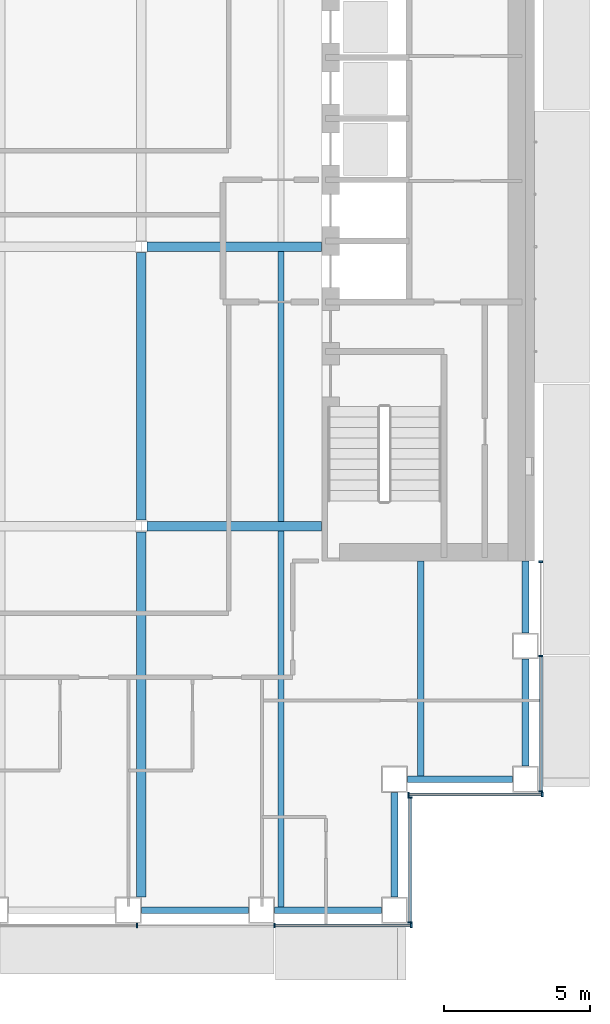
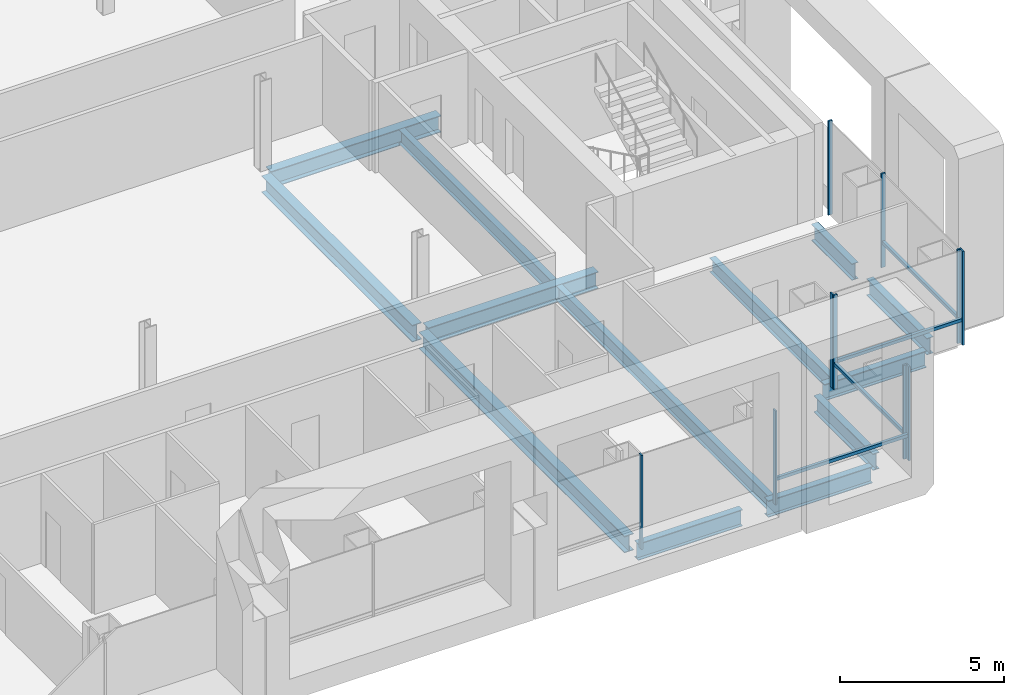
# One storey, part 4 of 19: 14 members, 13 beams, 4 elements without a shape of their own.
"""IFC4 building model written with IfcOpenShell, lengths in metres."""

from ifc_helpers import new_model, si_unit, direction, frame, origin, origin_2d, place, context, subcontext, project, spatial, rectangle, i_section, extrude, material, material_profile, profile_set, type_object, element, aggregate, save


model = new_model("IFC4")

# Units and contexts
model_context = context("Model", 3, precision=1e-05, world=origin(), true_north=direction((0.0, 1.0)))
body_context = subcontext(model_context, "Body", "Model", "MODEL_VIEW")
ifc_project = project(units=[si_unit("LENGTHUNIT", "METRE"), si_unit("AREAUNIT", "SQUARE_METRE"), si_unit("VOLUMEUNIT", "CUBIC_METRE"), si_unit("PLANEANGLEUNIT", "RADIAN"), si_unit("MASSUNIT", "GRAM", prefix="KILO")], contexts=[model_context])

# Site, building, storey
site_placement = place(None, origin())
site = spatial("IfcSite", under=ifc_project, at=site_placement, CompositionType="ELEMENT")
building_placement = place(site_placement, origin())
building = spatial("IfcBuilding", under=site, at=building_placement, Name="Cobrizo Arcos Hotel Tower", CompositionType="ELEMENT")
storey_placement = place(building_placement, frame((0.0, 0.0, 103.0)))
storey = spatial("IfcBuildingStorey", under=building, at=storey_placement, Name="L25", CompositionType="ELEMENT", Elevation=103.0)

# Curtain wall, members
ifc_material_1 = material(Name="Aluminium 6063-T6 anodised bronze", Category="aluminium")
curtain_wall_type = type_object("IfcCurtainWallType", Name="CW-A guest facade", PredefinedType="NOTDEFINED", material=ifc_material_1)
curtain_wall_1_placement = place(storey_placement, origin())
curtain_wall_1 = element("IfcCurtainWall", 1, at=curtain_wall_1_placement, inside=storey, type_object=curtain_wall_type, Name="CW-A L25 S face", PredefinedType="NOTDEFINED")
ifc_material_profile_1 = material_profile(ifc_material_1, rectangle(XDim=0.14990234375, YDim=0.06005859375, at=origin_2d()), Name="CW-A mullion 150x60")
ifc_profile_set_1 = profile_set([ifc_material_profile_1], Name="Aluminium 6063-T6 anodised bronze")
member_type_1 = type_object("IfcMemberType", Name="CW-A mullion 150x60", PredefinedType="MULLION", material=ifc_profile_set_1)
member_1_placement = place(storey_placement, frame((9.449951171875, -23.324951171875, 0.0), z_axis=(0.0, 0.0, 1.0), x_axis=(0.0, -1.0, 0.0)))
member_1 = element("IfcMember", 2, at=member_1_placement, type_object=member_type_1, Name="CW-A mullion 7", PredefinedType="MULLION", context=body_context, shape_type="SweptSolid", body=[
    extrude(rectangle(XDim=0.14990234375, YDim=0.06005859375, at=origin_2d()), origin(), (0.0, 0.0, 1.0), 3.5),
])
member_2_placement = place(storey_placement, frame((14.175048828125, -23.324951171875, 0.0), z_axis=(0.0, 0.0, 1.0), x_axis=(0.0, -1.0, 0.0)))
member_2 = element("IfcMember", 3, at=member_2_placement, type_object=member_type_1, Name="CW-A mullion 8", PredefinedType="MULLION", context=body_context, shape_type="SweptSolid", body=[
    extrude(rectangle(XDim=0.14990234375, YDim=0.06005859375, at=origin_2d()), origin(), (0.0, 0.0, 1.0), 3.5),
])
member_3_placement = place(storey_placement, frame((18.8701171875, -23.324951171875, 0.0), z_axis=(0.0, 0.0, 1.0), x_axis=(0.0, -1.0, 0.0)))
member_3 = element("IfcMember", 4, at=member_3_placement, type_object=member_type_1, Name="CW-A mullion 9", PredefinedType="MULLION", context=body_context, shape_type="SweptSolid", body=[
    extrude(rectangle(XDim=0.14990234375, YDim=0.06005859375, at=origin_2d()), origin(), (0.0, 0.0, 1.0), 3.5),
])

curtain_wall_2_placement = place(storey_placement, origin())
curtain_wall_2 = element("IfcCurtainWall", 5, at=curtain_wall_2_placement, inside=storey, type_object=curtain_wall_type, Name="CW-A L25 E face", PredefinedType="NOTDEFINED")
member_4_placement = place(storey_placement, frame((18.824951171875, -23.219970703125, 0.0), z_axis=(0.0, 0.0, 1.0), x_axis=(1.0, 0.0, 0.0)))
member_4 = element("IfcMember", 6, at=member_4_placement, type_object=member_type_1, Name="CW-A mullion 1", PredefinedType="MULLION", context=body_context, shape_type="SweptSolid", body=[
    extrude(rectangle(XDim=0.14990234375, YDim=0.06005859375, at=origin_2d()), origin(), (0.0, 0.0, 1.0), 3.5),
])
member_5_placement = place(storey_placement, frame((18.824951171875, -18.929931640625, 0.0), z_axis=(0.0, 0.0, 1.0), x_axis=(1.0, 0.0, 0.0)))
member_5 = element("IfcMember", 7, at=member_5_placement, type_object=member_type_1, Name="CW-A mullion 2", PredefinedType="MULLION", context=body_context, shape_type="SweptSolid", body=[
    extrude(rectangle(XDim=0.14990234375, YDim=0.06005859375, at=origin_2d()), origin(), (0.0, 0.0, 1.0), 3.5),
])

curtain_wall_3_placement = place(storey_placement, origin())
curtain_wall_3 = element("IfcCurtainWall", 8, at=curtain_wall_3_placement, inside=storey, type_object=curtain_wall_type, Name="CW-A L25 S face", PredefinedType="NOTDEFINED")
member_6_placement = place(storey_placement, frame((18.780029296875, -18.824951171875, 0.0), z_axis=(0.0, 0.0, 1.0), x_axis=(0.0, -1.0, 0.0)))
member_6 = element("IfcMember", 9, at=member_6_placement, type_object=member_type_1, Name="CW-A mullion 1", PredefinedType="MULLION", context=body_context, shape_type="SweptSolid", body=[
    extrude(rectangle(XDim=0.14990234375, YDim=0.06005859375, at=origin_2d()), origin(), (0.0, 0.0, 1.0), 3.5),
])
member_7_placement = place(storey_placement, frame((23.3701171875, -18.824951171875, 0.0), z_axis=(0.0, 0.0, 1.0), x_axis=(0.0, -1.0, 0.0)))
member_7 = element("IfcMember", 10, at=member_7_placement, type_object=member_type_1, Name="CW-A mullion 2", PredefinedType="MULLION", context=body_context, shape_type="SweptSolid", body=[
    extrude(rectangle(XDim=0.14990234375, YDim=0.06005859375, at=origin_2d()), origin(), (0.0, 0.0, 1.0), 3.5),
])

curtain_wall_4_placement = place(storey_placement, origin())
curtain_wall_4 = element("IfcCurtainWall", 11, at=curtain_wall_4_placement, inside=storey, type_object=curtain_wall_type, Name="CW-A L25 E face", PredefinedType="NOTDEFINED")
member_8_placement = place(storey_placement, frame((23.324951171875, -18.719970703125, 0.0), z_axis=(0.0, 0.0, 1.0), x_axis=(1.0, 0.0, 0.0)))
member_8 = element("IfcMember", 12, at=member_8_placement, type_object=member_type_1, Name="CW-A mullion 1", PredefinedType="MULLION", context=body_context, shape_type="SweptSolid", body=[
    extrude(rectangle(XDim=0.14990234375, YDim=0.06005859375, at=origin_2d()), origin(), (0.0, 0.0, 1.0), 3.5),
])
member_9_placement = place(storey_placement, frame((23.324951171875, -14.0625, 0.0), z_axis=(0.0, 0.0, 1.0), x_axis=(1.0, 0.0, 0.0)))
member_9 = element("IfcMember", 13, at=member_9_placement, type_object=member_type_1, Name="CW-A mullion 2", PredefinedType="MULLION", context=body_context, shape_type="SweptSolid", body=[
    extrude(rectangle(XDim=0.14990234375, YDim=0.06005859375, at=origin_2d()), origin(), (0.0, 0.0, 1.0), 3.5),
])
member_10_placement = place(storey_placement, frame((23.324951171875, -10.830078125, 0.0), z_axis=(0.0, 0.0, 1.0), x_axis=(1.0, 0.0, 0.0)))
member_10 = element("IfcMember", 14, at=member_10_placement, type_object=member_type_1, Name="CW-A mullion 3", PredefinedType="MULLION", context=body_context, shape_type="SweptSolid", body=[
    extrude(rectangle(XDim=0.14990234375, YDim=0.06005859375, at=origin_2d()), origin(), (0.0, 0.0, 1.0), 3.5),
])

# Member
ifc_material_profile_2 = material_profile(ifc_material_1, rectangle(XDim=0.10009765625, YDim=0.1201171875, at=origin_2d()), Name="CW-A transom 120x100")
ifc_profile_set_2 = profile_set([ifc_material_profile_2], Name="Aluminium 6063-T6 anodised bronze")
member_type_2 = type_object("IfcMemberType", Name="CW-A transom 120x100", PredefinedType="USERDEFINED", material=ifc_profile_set_2)
member_11_placement = place(storey_placement, frame((14.205078125, -23.324951171875, 0.929931640625), z_axis=(1.0, 0.0, 0.0), x_axis=(0.0, 1.0, 0.0)))
member_11 = element("IfcMember", 15, at=member_11_placement, type_object=member_type_2, Name="CW-A transom 986", ObjectType="TRANSOM", PredefinedType="USERDEFINED", context=body_context, shape_type="SweptSolid", body=[
    extrude(rectangle(XDim=0.10009765625, YDim=0.1201171875, at=origin_2d()), origin(), (0.0, 0.0, 1.0), 4.635009765625),
])

aggregate(curtain_wall_1, [member_1, member_2, member_3, member_11])

member_12_placement = place(storey_placement, frame((18.824951171875, -23.18994140625, 0.929931640625), z_axis=(0.0, 1.0, 0.0), x_axis=(-1.0, 0.0, 0.0)))
member_12 = element("IfcMember", 16, at=member_12_placement, type_object=member_type_2, Name="CW-A transom 987", ObjectType="TRANSOM", PredefinedType="USERDEFINED", context=body_context, shape_type="SweptSolid", body=[
    extrude(rectangle(XDim=0.10009765625, YDim=0.1201171875, at=origin_2d()), origin(), (0.0, 0.0, 1.0), 4.22998046875),
])

aggregate(curtain_wall_2, [member_4, member_5, member_12])

member_13_placement = place(storey_placement, frame((18.81005859375, -18.824951171875, 0.929931640625), z_axis=(1.0, 0.0, 0.0), x_axis=(0.0, 1.0, 0.0)))
member_13 = element("IfcMember", 17, at=member_13_placement, type_object=member_type_2, Name="CW-A transom 988", ObjectType="TRANSOM", PredefinedType="USERDEFINED", context=body_context, shape_type="SweptSolid", body=[
    extrude(rectangle(XDim=0.10009765625, YDim=0.1201171875, at=origin_2d()), origin(), (0.0, 0.0, 1.0), 4.530029296875),
])

aggregate(curtain_wall_3, [member_6, member_7, member_13])

member_14_placement = place(storey_placement, frame((23.324951171875, -18.68994140625, 0.929931640625), z_axis=(0.0, 1.0, 0.0), x_axis=(-1.0, 0.0, 0.0)))
member_14 = element("IfcMember", 18, at=member_14_placement, type_object=member_type_2, Name="CW-A transom 989", ObjectType="TRANSOM", PredefinedType="USERDEFINED", context=body_context, shape_type="SweptSolid", body=[
    extrude(rectangle(XDim=0.10009765625, YDim=0.1201171875, at=origin_2d()), origin(), (0.0, 0.0, 1.0), 4.597412109375),
])

aggregate(curtain_wall_4, [member_8, member_9, member_10, member_14])

# Beams
ifc_material_2 = material(Name="Steel ASTM A992 Grade 50", Category="steel")
ifc_material_profile_3 = material_profile(ifc_material_2, i_section(OverallWidth=0.209228515625, OverallDepth=0.533447265625, WebThickness=0.01025390625, FlangeThickness=0.015625, at=origin_2d()), Name="W21X62")
ifc_profile_set_3 = profile_set([ifc_material_profile_3], Name="Steel ASTM A992 Grade 50")
beam_type_1 = type_object("IfcBeamType", Name="W21X62 joist", PredefinedType="JOIST", material=ifc_profile_set_3)
beam_1_placement = place(storey_placement, frame((14.39990234375, -22.7099609375, -0.416748046875), z_axis=(0.0, 1.0, 0.0), x_axis=(-1.0, 0.0, 0.0)))
element("IfcBeam", 19, at=beam_1_placement, inside=storey, type_object=beam_type_1, Name="Floor joist J1, L25, no. 015", PredefinedType="JOIST", context=body_context, shape_type="SweptSolid", body=[
    extrude(i_section(OverallWidth=0.209228515625, OverallDepth=0.533447265625, WebThickness=0.01025390625, FlangeThickness=0.015625, at=origin_2d()), origin(), (0.0, 0.0, 1.0), 12.946044921875),
])
beam_2_placement = place(storey_placement, frame((14.39990234375, -9.43603515625, -0.416748046875), z_axis=(0.0, 1.0, 0.0), x_axis=(-1.0, 0.0, 0.0)))
element("IfcBeam", 20, at=beam_2_placement, inside=storey, type_object=beam_type_1, Name="Floor joist J1, L25, no. 016", PredefinedType="JOIST", context=body_context, shape_type="SweptSolid", body=[
    extrude(i_section(OverallWidth=0.209228515625, OverallDepth=0.533447265625, WebThickness=0.01025390625, FlangeThickness=0.015625, at=origin_2d()), origin(), (0.0, 0.0, 1.0), 9.272216796875),
])
beam_3_placement = place(storey_placement, frame((19.199951171875, -18.2099609375, -0.416748046875), z_axis=(0.0, 1.0, 0.0), x_axis=(-1.0, 0.0, 0.0)))
element("IfcBeam", 21, at=beam_3_placement, inside=storey, type_object=beam_type_1, Name="Floor joist J1, L25, no. 019", PredefinedType="JOIST", context=body_context, shape_type="SweptSolid", body=[
    extrude(i_section(OverallWidth=0.209228515625, OverallDepth=0.533447265625, WebThickness=0.01025390625, FlangeThickness=0.015625, at=origin_2d()), origin(), (0.0, 0.0, 1.0), 7.39990234375),
])
ifc_material_profile_4 = material_profile(ifc_material_2, i_section(OverallWidth=0.32763671875, OverallDepth=0.622314453125, WebThickness=0.015380859375, FlangeThickness=0.0244140625, at=origin_2d()), Name="W24X131")
ifc_profile_set_4 = profile_set([ifc_material_profile_4], Name="Steel ASTM A992 Grade 50")
beam_type_2 = type_object("IfcBeamType", Name="W24X131 girder", PredefinedType="BEAM", material=ifc_profile_set_4)
for number, where, z_axis, x_axis, name in (
    (22, (9.79931640625, -9.60009765625, -0.461181640625), (1.0, 0.0, 0.0), (0.0, 1.0, 0.0), "Floor girder G1, L25, no. 004"),
    (23, (9.79931640625, 0.0, -0.461181640625), (1.0, 0.0, 0.0), (0.0, 1.0, 0.0), "Floor girder G1, L25, no. 008"),
):
    element("IfcBeam", number, at=place(storey_placement, frame(where, z_axis=z_axis, x_axis=x_axis)), inside=storey, type_object=beam_type_2, Name=name, PredefinedType="BEAM", context=body_context, shape_type="SweptSolid", body=[
        extrude(i_section(OverallWidth=0.32763671875, OverallDepth=0.622314453125, WebThickness=0.015380859375, FlangeThickness=0.0244140625, at=origin_2d()), origin(), (0.0, 0.0, 1.0), 5.99072265625),
    ])
beam_4_placement = place(storey_placement, frame((9.60009765625, -22.35009765625, -0.461181640625), z_axis=(0.0, 1.0, 0.0), x_axis=(-1.0, 0.0, 0.0)))
element("IfcBeam", 24, at=beam_4_placement, inside=storey, type_object=beam_type_2, Name="Floor girder G1, L25, no. 021", PredefinedType="BEAM", context=body_context, shape_type="SweptSolid", body=[
    extrude(i_section(OverallWidth=0.32763671875, OverallDepth=0.622314453125, WebThickness=0.015380859375, FlangeThickness=0.0244140625, at=origin_2d()), origin(), (0.0, 0.0, 1.0), 12.55078125),
])
beam_5_placement = place(storey_placement, frame((9.60009765625, -9.400634765625, -0.461181640625), z_axis=(0.0, 1.0, 0.0), x_axis=(-1.0, 0.0, 0.0)))
element("IfcBeam", 25, at=beam_5_placement, inside=storey, type_object=beam_type_2, Name="Floor girder G1, L25, no. 022", PredefinedType="BEAM", context=body_context, shape_type="SweptSolid", body=[
    extrude(i_section(OverallWidth=0.32763671875, OverallDepth=0.622314453125, WebThickness=0.015380859375, FlangeThickness=0.0244140625, at=origin_2d()), origin(), (0.0, 0.0, 1.0), 9.201171875),
])
ifc_material_profile_5 = material_profile(ifc_material_2, i_section(OverallWidth=0.23046875, OverallDepth=0.6171875, WebThickness=0.01318359375, FlangeThickness=0.022216796875, at=origin_2d()), Name="W24X94")
ifc_profile_set_5 = profile_set([ifc_material_profile_5], Name="Steel ASTM A992 Grade 50")
beam_type_3 = type_object("IfcBeamType", Name="W24X94 spandrel", PredefinedType="SPANDREL", material=ifc_profile_set_5)
beam_6_placement = place(storey_placement, frame((9.60009765625, -22.800048828125, -0.45849609375), z_axis=(1.0, 0.0, 0.0), x_axis=(0.0, 1.0, 0.0)))
element("IfcBeam", 26, at=beam_6_placement, inside=storey, type_object=beam_type_3, Name="Spandrel beam W24X94, L25, no. 007", PredefinedType="SPANDREL", context=body_context, shape_type="SweptSolid", body=[
    extrude(i_section(OverallWidth=0.23046875, OverallDepth=0.6171875, WebThickness=0.01318359375, FlangeThickness=0.022216796875, at=origin_2d()), origin(), (0.0, 0.0, 1.0), 3.6748046875),
])
beam_7_placement = place(storey_placement, frame((14.175048828125, -22.800048828125, -0.45849609375), z_axis=(1.0, 0.0, 0.0), x_axis=(0.0, 1.0, 0.0)))
element("IfcBeam", 27, at=beam_7_placement, inside=storey, type_object=beam_type_3, Name="Spandrel beam W24X94, L25, no. 008", PredefinedType="SPANDREL", context=body_context, shape_type="SweptSolid", body=[
    extrude(i_section(OverallWidth=0.23046875, OverallDepth=0.6171875, WebThickness=0.01318359375, FlangeThickness=0.022216796875, at=origin_2d()), origin(), (0.0, 0.0, 1.0), 3.675048828125),
])
for number, where, z_axis, x_axis, name in (
    (28, (18.300048828125, -22.35009765625, -0.45849609375), (0.0, 1.0, 0.0), (-1.0, 0.0, 0.0), "Spandrel beam W24X94, L25, no. 009"),
    (29, (18.75, -18.300048828125, -0.45849609375), (1.0, 0.0, 0.0), (0.0, 1.0, 0.0), "Spandrel beam W24X94, L25, no. 010"),
):
    element("IfcBeam", number, at=place(storey_placement, frame(where, z_axis=z_axis, x_axis=x_axis)), inside=storey, type_object=beam_type_3, Name=name, PredefinedType="SPANDREL", context=body_context, shape_type="SweptSolid", body=[
        extrude(i_section(OverallWidth=0.23046875, OverallDepth=0.6171875, WebThickness=0.01318359375, FlangeThickness=0.022216796875, at=origin_2d()), origin(), (0.0, 0.0, 1.0), 3.60009765625),
    ])
beam_8_placement = place(storey_placement, frame((22.800048828125, -17.85009765625, -0.45849609375), z_axis=(0.0, 1.0, 0.0), x_axis=(-1.0, 0.0, 0.0)))
element("IfcBeam", 30, at=beam_8_placement, inside=storey, type_object=beam_type_3, Name="Spandrel beam W24X94, L25, no. 011", PredefinedType="SPANDREL", context=body_context, shape_type="SweptSolid", body=[
    extrude(i_section(OverallWidth=0.23046875, OverallDepth=0.6171875, WebThickness=0.01318359375, FlangeThickness=0.022216796875, at=origin_2d()), origin(), (0.0, 0.0, 1.0), 3.675048828125),
])
beam_9_placement = place(storey_placement, frame((22.800048828125, -13.27490234375, -0.45849609375), z_axis=(0.0, 1.0, 0.0), x_axis=(-1.0, 0.0, 0.0)))
element("IfcBeam", 31, at=beam_9_placement, inside=storey, type_object=beam_type_3, Name="Spandrel beam W24X94, L25, no. 012", PredefinedType="SPANDREL", context=body_context, shape_type="SweptSolid", body=[
    extrude(i_section(OverallWidth=0.23046875, OverallDepth=0.6171875, WebThickness=0.01318359375, FlangeThickness=0.022216796875, at=origin_2d()), origin(), (0.0, 0.0, 1.0), 2.46484375),
])

save(model, "model.ifc")
